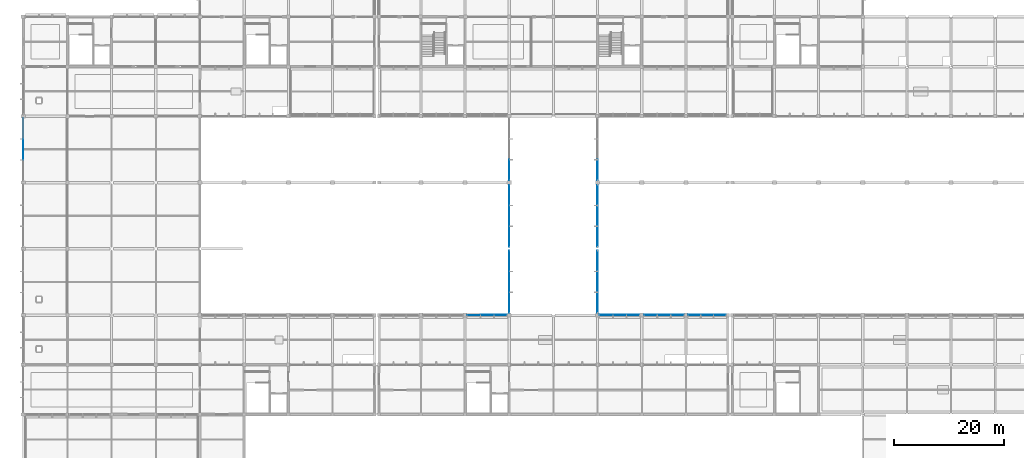
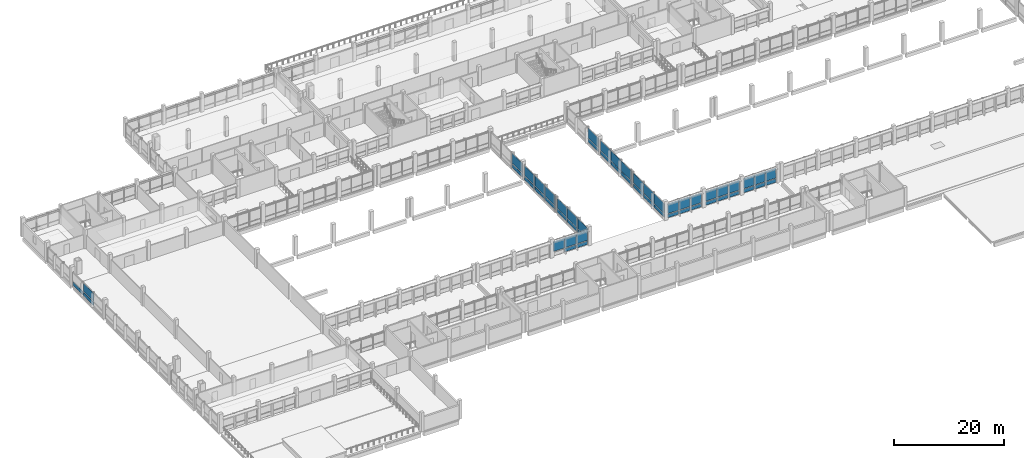
# One storey, part 46 of 70: 54 plates, 11 elements without a shape of their own.
"""IFC4 building model written with IfcOpenShell, lengths in metres."""

from ifc_helpers import new_model, si_unit, direction, frame, origin, origin_2d, place, context, subcontext, project, spatial, rectangle, extrude, material, layer, layer_set, type_object, element, aggregate, save


model = new_model("IFC4")

# Units and contexts
model_context = context("Model", 3, precision=1e-05, world=origin(), true_north=direction((0.0, 1.0)))
body_context = subcontext(model_context, "Body", "Model", "MODEL_VIEW")
ifc_project = project(units=[si_unit("LENGTHUNIT", "METRE"), si_unit("AREAUNIT", "SQUARE_METRE"), si_unit("VOLUMEUNIT", "CUBIC_METRE"), si_unit("PLANEANGLEUNIT", "RADIAN"), si_unit("MASSUNIT", "GRAM", prefix="KILO"), si_unit("THERMODYNAMICTEMPERATUREUNIT", "KELVIN"), si_unit("POWERUNIT", "WATT")], contexts=[model_context])

# Site, building, storey
site_placement = place(None, origin())
site = spatial("IfcSite", under=ifc_project, at=site_placement, CompositionType="ELEMENT")
building_placement = place(site_placement, origin())
building = spatial("IfcBuilding", under=site, at=building_placement, Name="Kronsvod Quay Wholesale Market", CompositionType="ELEMENT")
storey_placement = place(building_placement, frame((0.0, 0.0, 9.0)))
storey = spatial("IfcBuildingStorey", under=building, at=storey_placement, Name="L02", CompositionType="ELEMENT", Elevation=9.0)

# Curtain wall, plates
ifc_material_1 = material(Name="Thermally broken aluminium and triple low-E glazing", Category="aluminium")
curtain_wall_type_1 = type_object("IfcCurtainWallType", Name="CW_Clerestory80x32", PredefinedType="NOTDEFINED", material=ifc_material_1)
curtain_wall_1_placement = place(storey_placement, origin())
curtain_wall_1 = element("IfcCurtainWall", 1, at=curtain_wall_1_placement, inside=storey, type_object=curtain_wall_type_1, Name="CWGX-L02-1200-540", PredefinedType="NOTDEFINED")
ifc_material_2 = material(Name="Insulated aluminium spandrel panel", Category="aluminium")
ifc_layer_1 = layer(ifc_material_2, 0.048095703125)
ifc_layer_set_1 = layer_set([ifc_layer_1], Name="Insulated aluminium spandrel panel")
plate_type_1 = type_object("IfcPlateType", Name="CWPanel_SP2223x820", PredefinedType="CURTAIN_PANEL", material=ifc_layer_set_1)
plate_1_placement = place(storey_placement, frame((121.521240234375, 54.0, 0.1201171875), z_axis=(0.0, 0.0, 1.0), x_axis=(1.0, 0.0, 0.0)))
plate_1 = element("IfcPlate", 2, at=plate_1_placement, type_object=plate_type_1, Name="CWGX-L02-1200-540-PS1", PredefinedType="CURTAIN_PANEL", context=body_context, shape_type="SweptSolid", body=[
    extrude(rectangle(XDim=2.222900390625, YDim=0.048095703125, at=origin_2d()), origin(), (0.0, 0.0, 1.0), 0.820068359375),
])
plate_2_placement = place(storey_placement, frame((126.128662109375, 54.0, 0.1201171875), z_axis=(0.0, 0.0, 1.0), x_axis=(1.0, 0.0, 0.0)))
plate_2 = element("IfcPlate", 3, at=plate_2_placement, type_object=plate_type_1, Name="CWGX-L02-1200-540-PS3", PredefinedType="CURTAIN_PANEL", context=body_context, shape_type="SweptSolid", body=[
    extrude(rectangle(XDim=2.222900390625, YDim=0.048095703125, at=origin_2d()), origin(), (0.0, 0.0, 1.0), 0.820068359375),
])
ifc_material_3 = material(Name="Insulated aluminium spandrel panel", Category="aluminium")
ifc_layer_2 = layer(ifc_material_3, 0.048095703125)
ifc_layer_set_2 = layer_set([ifc_layer_2], Name="Insulated aluminium spandrel panel")
plate_type_2 = type_object("IfcPlateType", Name="CWPanel_SP2255x820", PredefinedType="CURTAIN_PANEL", material=ifc_layer_set_2)
plate_3_placement = place(storey_placement, frame((123.824951171875, 54.0, 0.1201171875), z_axis=(0.0, 0.0, 1.0), x_axis=(1.0, 0.0, 0.0)))
plate_3 = element("IfcPlate", 4, at=plate_3_placement, type_object=plate_type_2, Name="CWGX-L02-1200-540-PS2", PredefinedType="CURTAIN_PANEL", context=body_context, shape_type="SweptSolid", body=[
    extrude(rectangle(XDim=2.2548828125, YDim=0.048095703125, at=origin_2d()), origin(), (0.0, 0.0, 1.0), 0.820068359375),
])

# Curtain wall, plate
curtain_wall_2_placement = place(storey_placement, origin())
curtain_wall_2 = element("IfcCurtainWall", 5, at=curtain_wall_2_placement, inside=storey, type_object=curtain_wall_type_1, Name="CWGX-L02-800-540", PredefinedType="NOTDEFINED")
ifc_material_4 = material(Name="Insulated aluminium spandrel panel", Category="aluminium")
ifc_layer_3 = layer(ifc_material_4, 0.048095703125)
ifc_layer_set_3 = layer_set([ifc_layer_3], Name="Insulated aluminium spandrel panel")
plate_type_3 = type_object("IfcPlateType", Name="CWPanel_SP2324x775", PredefinedType="CURTAIN_PANEL", material=ifc_layer_set_3)
plate_4_placement = place(storey_placement, frame((86.41796875, 54.0, 0.150146484375), z_axis=(0.0, 0.0, 1.0), x_axis=(1.0, 0.0, 0.0)))
plate_4 = element("IfcPlate", 6, at=plate_4_placement, type_object=plate_type_3, Name="CWGX-L02-800-540-PS3", PredefinedType="CURTAIN_PANEL", context=body_context, shape_type="SweptSolid", body=[
    extrude(rectangle(XDim=2.323974609375, YDim=0.048095703125, at=origin_2d()), origin(), (0.0, 0.0, 1.0), 0.77490234375),
])

# Curtain wall, plates
curtain_wall_3_placement = place(storey_placement, origin())
curtain_wall_3 = element("IfcCurtainWall", 7, at=curtain_wall_3_placement, inside=storey, type_object=curtain_wall_type_1, Name="CWGX-L02-1040-540", PredefinedType="NOTDEFINED")
plate_5_placement = place(storey_placement, frame((105.58203125, 54.0, 0.150146484375), z_axis=(0.0, 0.0, 1.0), x_axis=(1.0, 0.0, 0.0)))
plate_5 = element("IfcPlate", 8, at=plate_5_placement, type_object=plate_type_3, Name="CWGX-L02-1040-540-PS1", PredefinedType="CURTAIN_PANEL", context=body_context, shape_type="SweptSolid", body=[
    extrude(rectangle(XDim=2.323974609375, YDim=0.048095703125, at=origin_2d()), origin(), (0.0, 0.0, 1.0), 0.77490234375),
])
plate_6_placement = place(storey_placement, frame((110.41796875, 54.0, 0.150146484375), z_axis=(0.0, 0.0, 1.0), x_axis=(1.0, 0.0, 0.0)))
plate_6 = element("IfcPlate", 9, at=plate_6_placement, type_object=plate_type_3, Name="CWGX-L02-1040-540-PS3", PredefinedType="CURTAIN_PANEL", context=body_context, shape_type="SweptSolid", body=[
    extrude(rectangle(XDim=2.323974609375, YDim=0.048095703125, at=origin_2d()), origin(), (0.0, 0.0, 1.0), 0.77490234375),
])

curtain_wall_4_placement = place(storey_placement, origin())
curtain_wall_4 = element("IfcCurtainWall", 10, at=curtain_wall_4_placement, inside=storey, type_object=curtain_wall_type_1, Name="CWGX-L02-1120-540", PredefinedType="NOTDEFINED")
plate_7_placement = place(storey_placement, frame((113.58203125, 54.0, 0.150146484375), z_axis=(0.0, 0.0, 1.0), x_axis=(1.0, 0.0, 0.0)))
plate_7 = element("IfcPlate", 11, at=plate_7_placement, type_object=plate_type_3, Name="CWGX-L02-1120-540-PS1", PredefinedType="CURTAIN_PANEL", context=body_context, shape_type="SweptSolid", body=[
    extrude(rectangle(XDim=2.323974609375, YDim=0.048095703125, at=origin_2d()), origin(), (0.0, 0.0, 1.0), 0.77490234375),
])
plate_8_placement = place(storey_placement, frame((118.41796875, 54.0, 0.150146484375), z_axis=(0.0, 0.0, 1.0), x_axis=(1.0, 0.0, 0.0)))
plate_8 = element("IfcPlate", 12, at=plate_8_placement, type_object=plate_type_3, Name="CWGX-L02-1120-540-PS3", PredefinedType="CURTAIN_PANEL", context=body_context, shape_type="SweptSolid", body=[
    extrude(rectangle(XDim=2.323974609375, YDim=0.048095703125, at=origin_2d()), origin(), (0.0, 0.0, 1.0), 0.77490234375),
])

# Plate
ifc_material_5 = material(Name="Insulated aluminium spandrel panel", Category="aluminium")
ifc_layer_4 = layer(ifc_material_5, 0.048095703125)
ifc_layer_set_4 = layer_set([ifc_layer_4], Name="Insulated aluminium spandrel panel")
plate_type_4 = type_object("IfcPlateType", Name="CWPanel_SP2362x775", PredefinedType="CURTAIN_PANEL", material=ifc_layer_set_4)
plate_9_placement = place(storey_placement, frame((84.0, 54.0, 0.150146484375), z_axis=(0.0, 0.0, 1.0), x_axis=(1.0, 0.0, 0.0)))
plate_9 = element("IfcPlate", 13, at=plate_9_placement, type_object=plate_type_4, Name="CWGX-L02-800-540-PS2", PredefinedType="CURTAIN_PANEL", context=body_context, shape_type="SweptSolid", body=[
    extrude(rectangle(XDim=2.362060546875, YDim=0.048095703125, at=origin_2d()), origin(), (0.0, 0.0, 1.0), 0.77490234375),
])

plate_10_placement = place(storey_placement, frame((108.0, 54.0, 0.150146484375), z_axis=(0.0, 0.0, 1.0), x_axis=(1.0, 0.0, 0.0)))
plate_10 = element("IfcPlate", 14, at=plate_10_placement, type_object=plate_type_4, Name="CWGX-L02-1040-540-PS2", PredefinedType="CURTAIN_PANEL", context=body_context, shape_type="SweptSolid", body=[
    extrude(rectangle(XDim=2.362060546875, YDim=0.048095703125, at=origin_2d()), origin(), (0.0, 0.0, 1.0), 0.77490234375),
])

plate_11_placement = place(storey_placement, frame((116.0, 54.0, 0.150146484375), z_axis=(0.0, 0.0, 1.0), x_axis=(1.0, 0.0, 0.0)))
plate_11 = element("IfcPlate", 15, at=plate_11_placement, type_object=plate_type_4, Name="CWGX-L02-1120-540-PS2", PredefinedType="CURTAIN_PANEL", context=body_context, shape_type="SweptSolid", body=[
    extrude(rectangle(XDim=2.362060546875, YDim=0.048095703125, at=origin_2d()), origin(), (0.0, 0.0, 1.0), 0.77490234375),
])

# Curtain wall, plate
ifc_material_6 = material(Name="Thermally broken aluminium and triple low-E glazing", Category="aluminium")
curtain_wall_type_2 = type_object("IfcCurtainWallType", Name="CW_Court120x35", PredefinedType="NOTDEFINED", material=ifc_material_6)
curtain_wall_5_placement = place(storey_placement, origin())
curtain_wall_5 = element("IfcCurtainWall", 16, at=curtain_wall_5_placement, inside=storey, type_object=curtain_wall_type_2, Name="CWGY-L02-880-780", PredefinedType="NOTDEFINED")
ifc_material_7 = material(Name="Insulated aluminium spandrel panel", Category="aluminium")
ifc_layer_5 = layer(ifc_material_7, 0.048095703125)
ifc_layer_set_5 = layer_set([ifc_layer_5], Name="Insulated aluminium spandrel panel")
plate_type_5 = type_object("IfcPlateType", Name="CWPanel_SP3649x775", PredefinedType="CURTAIN_PANEL", material=ifc_layer_set_5)
plate_12_placement = place(storey_placement, frame((88.0, 80.26953125, 0.150146484375), z_axis=(0.0, 0.0, 1.0), x_axis=(0.0, 1.0, 0.0)))
plate_12 = element("IfcPlate", 17, at=plate_12_placement, type_object=plate_type_5, Name="CWGY-L02-880-780-PS1", PredefinedType="CURTAIN_PANEL", context=body_context, shape_type="SweptSolid", body=[
    extrude(rectangle(XDim=3.64892578125, YDim=0.048095703125, at=origin_2d()), origin(), (0.0, 0.0, 1.0), 0.77490234375),
])

curtain_wall_6_placement = place(storey_placement, origin())
curtain_wall_6 = element("IfcCurtainWall", 18, at=curtain_wall_6_placement, inside=storey, type_object=curtain_wall_type_2, Name="CWGY-L02-1040-780", PredefinedType="NOTDEFINED")
plate_13_placement = place(storey_placement, frame((104.0, 80.26953125, 0.150146484375), z_axis=(0.0, 0.0, 1.0), x_axis=(0.0, -1.0, 0.0)))
plate_13 = element("IfcPlate", 19, at=plate_13_placement, type_object=plate_type_5, Name="CWGY-L02-1040-780-PS3", PredefinedType="CURTAIN_PANEL", context=body_context, shape_type="SweptSolid", body=[
    extrude(rectangle(XDim=3.64892578125, YDim=0.048095703125, at=origin_2d()), origin(), (0.0, 0.0, 1.0), 0.77490234375),
])

# Curtain wall, plates
curtain_wall_7_placement = place(storey_placement, origin())
curtain_wall_7 = element("IfcCurtainWall", 20, at=curtain_wall_7_placement, inside=storey, type_object=curtain_wall_type_2, Name="CWGY-L02-880-660", PredefinedType="NOTDEFINED")
ifc_material_8 = material(Name="Insulated aluminium spandrel panel", Category="aluminium")
ifc_layer_6 = layer(ifc_material_8, 0.048095703125)
ifc_layer_set_6 = layer_set([ifc_layer_6], Name="Insulated aluminium spandrel panel")
plate_type_6 = type_object("IfcPlateType", Name="CWPanel_SP3666x775", PredefinedType="CURTAIN_PANEL", material=ifc_layer_set_6)
plate_14_placement = place(storey_placement, frame((88.0, 68.202880859375, 0.150146484375), z_axis=(0.0, 0.0, 1.0), x_axis=(0.0, 1.0, 0.0)))
plate_14 = element("IfcPlate", 21, at=plate_14_placement, type_object=plate_type_6, Name="CWGY-L02-880-660-PS1", PredefinedType="CURTAIN_PANEL", context=body_context, shape_type="SweptSolid", body=[
    extrude(rectangle(XDim=3.666015625, YDim=0.048095703125, at=origin_2d()), origin(), (0.0, 0.0, 1.0), 0.77490234375),
])
plate_15_placement = place(storey_placement, frame((88.0, 75.72216796875, 0.150146484375), z_axis=(0.0, 0.0, 1.0), x_axis=(0.0, 1.0, 0.0)))
plate_15 = element("IfcPlate", 22, at=plate_15_placement, type_object=plate_type_6, Name="CWGY-L02-880-660-PS3", PredefinedType="CURTAIN_PANEL", context=body_context, shape_type="SweptSolid", body=[
    extrude(rectangle(XDim=3.666015625, YDim=0.048095703125, at=origin_2d()), origin(), (0.0, 0.0, 1.0), 0.77490234375),
])

curtain_wall_8_placement = place(storey_placement, origin())
curtain_wall_8 = element("IfcCurtainWall", 23, at=curtain_wall_8_placement, inside=storey, type_object=curtain_wall_type_2, Name="CWGY-L02-1040-660", PredefinedType="NOTDEFINED")
plate_16_placement = place(storey_placement, frame((104.0, 75.72216796875, 0.150146484375), z_axis=(0.0, 0.0, 1.0), x_axis=(0.0, -1.0, 0.0)))
plate_16 = element("IfcPlate", 24, at=plate_16_placement, type_object=plate_type_6, Name="CWGY-L02-1040-660-PS1", PredefinedType="CURTAIN_PANEL", context=body_context, shape_type="SweptSolid", body=[
    extrude(rectangle(XDim=3.666015625, YDim=0.048095703125, at=origin_2d()), origin(), (0.0, 0.0, 1.0), 0.77490234375),
])
plate_17_placement = place(storey_placement, frame((104.0, 68.202880859375, 0.150146484375), z_axis=(0.0, 0.0, 1.0), x_axis=(0.0, -1.0, 0.0)))
plate_17 = element("IfcPlate", 25, at=plate_17_placement, type_object=plate_type_6, Name="CWGY-L02-1040-660-PS3", PredefinedType="CURTAIN_PANEL", context=body_context, shape_type="SweptSolid", body=[
    extrude(rectangle(XDim=3.666015625, YDim=0.048095703125, at=origin_2d()), origin(), (0.0, 0.0, 1.0), 0.77490234375),
])

curtain_wall_9_placement = place(storey_placement, origin())
curtain_wall_9 = element("IfcCurtainWall", 26, at=curtain_wall_9_placement, inside=storey, type_object=curtain_wall_type_2, Name="CWGY-L02-880-540", PredefinedType="NOTDEFINED")
ifc_material_9 = material(Name="Insulated aluminium spandrel panel", Category="aluminium")
ifc_layer_7 = layer(ifc_material_9, 0.048095703125)
ifc_layer_set_7 = layer_set([ifc_layer_7], Name="Insulated aluminium spandrel panel")
plate_type_7 = type_object("IfcPlateType", Name="CWPanel_SP3674x775", PredefinedType="CURTAIN_PANEL", material=ifc_layer_set_7)
plate_18_placement = place(storey_placement, frame((88.0, 56.257080078125, 0.150146484375), z_axis=(0.0, 0.0, 1.0), x_axis=(0.0, 1.0, 0.0)))
plate_18 = element("IfcPlate", 27, at=plate_18_placement, type_object=plate_type_7, Name="CWGY-L02-880-540-PS1", PredefinedType="CURTAIN_PANEL", context=body_context, shape_type="SweptSolid", body=[
    extrude(rectangle(XDim=3.674072265625, YDim=0.048095703125, at=origin_2d()), origin(), (0.0, 0.0, 1.0), 0.77490234375),
])
plate_19_placement = place(storey_placement, frame((88.0, 63.79296875, 0.150146484375), z_axis=(0.0, 0.0, 1.0), x_axis=(0.0, 1.0, 0.0)))
plate_19 = element("IfcPlate", 28, at=plate_19_placement, type_object=plate_type_7, Name="CWGY-L02-880-540-PS3", PredefinedType="CURTAIN_PANEL", context=body_context, shape_type="SweptSolid", body=[
    extrude(rectangle(XDim=3.674072265625, YDim=0.048095703125, at=origin_2d()), origin(), (0.0, 0.0, 1.0), 0.77490234375),
])

curtain_wall_10_placement = place(storey_placement, origin())
curtain_wall_10 = element("IfcCurtainWall", 29, at=curtain_wall_10_placement, inside=storey, type_object=curtain_wall_type_2, Name="CWGY-L02-1040-540", PredefinedType="NOTDEFINED")
plate_20_placement = place(storey_placement, frame((104.0, 63.79296875, 0.150146484375), z_axis=(0.0, 0.0, 1.0), x_axis=(0.0, -1.0, 0.0)))
plate_20 = element("IfcPlate", 30, at=plate_20_placement, type_object=plate_type_7, Name="CWGY-L02-1040-540-PS1", PredefinedType="CURTAIN_PANEL", context=body_context, shape_type="SweptSolid", body=[
    extrude(rectangle(XDim=3.674072265625, YDim=0.048095703125, at=origin_2d()), origin(), (0.0, 0.0, 1.0), 0.77490234375),
])
plate_21_placement = place(storey_placement, frame((104.0, 56.257080078125, 0.150146484375), z_axis=(0.0, 0.0, 1.0), x_axis=(0.0, -1.0, 0.0)))
plate_21 = element("IfcPlate", 31, at=plate_21_placement, type_object=plate_type_7, Name="CWGY-L02-1040-540-PS3", PredefinedType="CURTAIN_PANEL", context=body_context, shape_type="SweptSolid", body=[
    extrude(rectangle(XDim=3.674072265625, YDim=0.048095703125, at=origin_2d()), origin(), (0.0, 0.0, 1.0), 0.77490234375),
])

# Curtain wall, plate
ifc_material_10 = material(Name="Thermally broken aluminium and triple low-E glazing", Category="aluminium")
curtain_wall_type_3 = type_object("IfcCurtainWallType", Name="CW_WestLab90x37", PredefinedType="NOTDEFINED", material=ifc_material_10)
curtain_wall_11_placement = place(storey_placement, origin())
curtain_wall_11 = element("IfcCurtainWall", 32, at=curtain_wall_11_placement, inside=storey, type_object=curtain_wall_type_3, Name="CWGY-L02-0-780", PredefinedType="NOTDEFINED")
ifc_material_11 = material(Name="Insulated aluminium spandrel panel", Category="aluminium")
ifc_layer_8 = layer(ifc_material_11, 0.048095703125)
ifc_layer_set_8 = layer_set([ifc_layer_8], Name="Insulated aluminium spandrel panel")
plate_type_8 = type_object("IfcPlateType", Name="CWPanel_SP3691x775", PredefinedType="CURTAIN_PANEL", material=ifc_layer_set_8)
plate_22_placement = place(storey_placement, frame((0.0, 87.78466796875, 0.150146484375), z_axis=(0.0, 0.0, 1.0), x_axis=(0.0, -1.0, 0.0)))
plate_22 = element("IfcPlate", 33, at=plate_22_placement, type_object=plate_type_8, Name="CWGY-L02-0-780-PS1", PredefinedType="CURTAIN_PANEL", context=body_context, shape_type="SweptSolid", body=[
    extrude(rectangle(XDim=3.69091796875, YDim=0.048095703125, at=origin_2d()), origin(), (0.0, 0.0, 1.0), 0.77490234375),
])

# Plate
ifc_material_12 = material(Name="Insulated aluminium spandrel panel", Category="aluminium")
ifc_layer_9 = layer(ifc_material_12, 0.048095703125)
ifc_layer_set_9 = layer_set([ifc_layer_9], Name="Insulated aluminium spandrel panel")
plate_type_9 = type_object("IfcPlateType", Name="CWPanel_SP3703x775", PredefinedType="CURTAIN_PANEL", material=ifc_layer_set_9)
plate_23_placement = place(storey_placement, frame((88.0, 71.96240234375, 0.150146484375), z_axis=(0.0, 0.0, 1.0), x_axis=(0.0, 1.0, 0.0)))
plate_23 = element("IfcPlate", 34, at=plate_23_placement, type_object=plate_type_9, Name="CWGY-L02-880-660-PS2", PredefinedType="CURTAIN_PANEL", context=body_context, shape_type="SweptSolid", body=[
    extrude(rectangle(XDim=3.702880859375, YDim=0.048095703125, at=origin_2d()), origin(), (0.0, 0.0, 1.0), 0.77490234375),
])

plate_24_placement = place(storey_placement, frame((104.0, 71.96240234375, 0.150146484375), z_axis=(0.0, 0.0, 1.0), x_axis=(0.0, -1.0, 0.0)))
plate_24 = element("IfcPlate", 35, at=plate_24_placement, type_object=plate_type_9, Name="CWGY-L02-1040-660-PS2", PredefinedType="CURTAIN_PANEL", context=body_context, shape_type="SweptSolid", body=[
    extrude(rectangle(XDim=3.702880859375, YDim=0.048095703125, at=origin_2d()), origin(), (0.0, 0.0, 1.0), 0.77490234375),
])

ifc_material_13 = material(Name="Insulated aluminium spandrel panel", Category="aluminium")
ifc_layer_10 = layer(ifc_material_13, 0.048095703125)
ifc_layer_set_10 = layer_set([ifc_layer_10], Name="Insulated aluminium spandrel panel")
plate_type_10 = type_object("IfcPlateType", Name="CWPanel_SP3712x775", PredefinedType="CURTAIN_PANEL", material=ifc_layer_set_10)
plate_25_placement = place(storey_placement, frame((88.0, 60.02490234375, 0.150146484375), z_axis=(0.0, 0.0, 1.0), x_axis=(0.0, 1.0, 0.0)))
plate_25 = element("IfcPlate", 36, at=plate_25_placement, type_object=plate_type_10, Name="CWGY-L02-880-540-PS2", PredefinedType="CURTAIN_PANEL", context=body_context, shape_type="SweptSolid", body=[
    extrude(rectangle(XDim=3.7119140625, YDim=0.048095703125, at=origin_2d()), origin(), (0.0, 0.0, 1.0), 0.77490234375),
])

plate_26_placement = place(storey_placement, frame((104.0, 60.02490234375, 0.150146484375), z_axis=(0.0, 0.0, 1.0), x_axis=(0.0, -1.0, 0.0)))
plate_26 = element("IfcPlate", 37, at=plate_26_placement, type_object=plate_type_10, Name="CWGY-L02-1040-540-PS2", PredefinedType="CURTAIN_PANEL", context=body_context, shape_type="SweptSolid", body=[
    extrude(rectangle(XDim=3.7119140625, YDim=0.048095703125, at=origin_2d()), origin(), (0.0, 0.0, 1.0), 0.77490234375),
])

ifc_material_14 = material(Name="Insulated aluminium spandrel panel", Category="aluminium")
ifc_layer_11 = layer(ifc_material_14, 0.048095703125)
ifc_layer_set_11 = layer_set([ifc_layer_11], Name="Insulated aluminium spandrel panel")
plate_type_11 = type_object("IfcPlateType", Name="CWPanel_SP3728x775", PredefinedType="CURTAIN_PANEL", material=ifc_layer_set_11)
plate_27_placement = place(storey_placement, frame((0.0, 84.0, 0.150146484375), z_axis=(0.0, 0.0, 1.0), x_axis=(0.0, -1.0, 0.0)))
plate_27 = element("IfcPlate", 38, at=plate_27_placement, type_object=plate_type_11, Name="CWGY-L02-0-780-PS2", PredefinedType="CURTAIN_PANEL", context=body_context, shape_type="SweptSolid", body=[
    extrude(rectangle(XDim=3.72802734375, YDim=0.048095703125, at=origin_2d()), origin(), (0.0, 0.0, 1.0), 0.77490234375),
])

ifc_material_15 = material(Name="Triple low-E insulated glazing", Category="glass")
ifc_layer_12 = layer(ifc_material_15, 0.0439453125)
ifc_layer_set_12 = layer_set([ifc_layer_12], Name="Triple low-E insulated glazing")
plate_type_12 = type_object("IfcPlateType", Name="CWPanel_VS2223x2240", PredefinedType="CURTAIN_PANEL", material=ifc_layer_set_12)
plate_28_placement = place(storey_placement, frame((121.521240234375, 54.0, 1.06005859375), z_axis=(0.0, 0.0, 1.0), x_axis=(1.0, 0.0, 0.0)))
plate_28 = element("IfcPlate", 39, at=plate_28_placement, type_object=plate_type_12, Name="CWGX-L02-1200-540-PV1", PredefinedType="CURTAIN_PANEL", context=body_context, shape_type="SweptSolid", body=[
    extrude(rectangle(XDim=2.222900390625, YDim=0.0439453125, at=origin_2d()), origin(), (0.0, 0.0, 1.0), 2.239990234375),
])

plate_29_placement = place(storey_placement, frame((126.128662109375, 54.0, 1.06005859375), z_axis=(0.0, 0.0, 1.0), x_axis=(1.0, 0.0, 0.0)))
plate_29 = element("IfcPlate", 40, at=plate_29_placement, type_object=plate_type_12, Name="CWGX-L02-1200-540-PV3", PredefinedType="CURTAIN_PANEL", context=body_context, shape_type="SweptSolid", body=[
    extrude(rectangle(XDim=2.222900390625, YDim=0.0439453125, at=origin_2d()), origin(), (0.0, 0.0, 1.0), 2.239990234375),
])

ifc_material_16 = material(Name="Triple low-E insulated glazing", Category="glass")
ifc_layer_13 = layer(ifc_material_16, 0.0439453125)
ifc_layer_set_13 = layer_set([ifc_layer_13], Name="Triple low-E insulated glazing")
plate_type_13 = type_object("IfcPlateType", Name="CWPanel_VS2255x2240", PredefinedType="CURTAIN_PANEL", material=ifc_layer_set_13)
plate_30_placement = place(storey_placement, frame((123.824951171875, 54.0, 1.06005859375), z_axis=(0.0, 0.0, 1.0), x_axis=(1.0, 0.0, 0.0)))
plate_30 = element("IfcPlate", 41, at=plate_30_placement, type_object=plate_type_13, Name="CWGX-L02-1200-540-PV2", PredefinedType="CURTAIN_PANEL", context=body_context, shape_type="SweptSolid", body=[
    extrude(rectangle(XDim=2.2548828125, YDim=0.0439453125, at=origin_2d()), origin(), (0.0, 0.0, 1.0), 2.239990234375),
])

aggregate(curtain_wall_1, [plate_1, plate_28, plate_3, plate_30, plate_2, plate_29])

ifc_material_17 = material(Name="Triple low-E insulated glazing", Category="glass")
ifc_layer_14 = layer(ifc_material_17, 0.0439453125)
ifc_layer_set_14 = layer_set([ifc_layer_14], Name="Triple low-E insulated glazing")
plate_type_14 = type_object("IfcPlateType", Name="CWPanel_VS2324x2195", PredefinedType="CURTAIN_PANEL", material=ifc_layer_set_14)
plate_31_placement = place(storey_placement, frame((81.58203125, 54.0, 1.0751953125), z_axis=(0.0, 0.0, 1.0), x_axis=(1.0, 0.0, 0.0)))
plate_31 = element("IfcPlate", 42, at=plate_31_placement, type_object=plate_type_14, Name="CWGX-L02-800-540-PV1", PredefinedType="CURTAIN_PANEL", context=body_context, shape_type="SweptSolid", body=[
    extrude(rectangle(XDim=2.323974609375, YDim=0.0439453125, at=origin_2d()), origin(), (0.0, 0.0, 1.0), 2.195068359375),
])

plate_32_placement = place(storey_placement, frame((86.41796875, 54.0, 1.0751953125), z_axis=(0.0, 0.0, 1.0), x_axis=(1.0, 0.0, 0.0)))
plate_32 = element("IfcPlate", 43, at=plate_32_placement, type_object=plate_type_14, Name="CWGX-L02-800-540-PV3", PredefinedType="CURTAIN_PANEL", context=body_context, shape_type="SweptSolid", body=[
    extrude(rectangle(XDim=2.323974609375, YDim=0.0439453125, at=origin_2d()), origin(), (0.0, 0.0, 1.0), 2.195068359375),
])

plate_33_placement = place(storey_placement, frame((105.58203125, 54.0, 1.0751953125), z_axis=(0.0, 0.0, 1.0), x_axis=(1.0, 0.0, 0.0)))
plate_33 = element("IfcPlate", 44, at=plate_33_placement, type_object=plate_type_14, Name="CWGX-L02-1040-540-PV1", PredefinedType="CURTAIN_PANEL", context=body_context, shape_type="SweptSolid", body=[
    extrude(rectangle(XDim=2.323974609375, YDim=0.0439453125, at=origin_2d()), origin(), (0.0, 0.0, 1.0), 2.195068359375),
])

plate_34_placement = place(storey_placement, frame((110.41796875, 54.0, 1.0751953125), z_axis=(0.0, 0.0, 1.0), x_axis=(1.0, 0.0, 0.0)))
plate_34 = element("IfcPlate", 45, at=plate_34_placement, type_object=plate_type_14, Name="CWGX-L02-1040-540-PV3", PredefinedType="CURTAIN_PANEL", context=body_context, shape_type="SweptSolid", body=[
    extrude(rectangle(XDim=2.323974609375, YDim=0.0439453125, at=origin_2d()), origin(), (0.0, 0.0, 1.0), 2.195068359375),
])

plate_35_placement = place(storey_placement, frame((113.58203125, 54.0, 1.0751953125), z_axis=(0.0, 0.0, 1.0), x_axis=(1.0, 0.0, 0.0)))
plate_35 = element("IfcPlate", 46, at=plate_35_placement, type_object=plate_type_14, Name="CWGX-L02-1120-540-PV1", PredefinedType="CURTAIN_PANEL", context=body_context, shape_type="SweptSolid", body=[
    extrude(rectangle(XDim=2.323974609375, YDim=0.0439453125, at=origin_2d()), origin(), (0.0, 0.0, 1.0), 2.195068359375),
])

plate_36_placement = place(storey_placement, frame((118.41796875, 54.0, 1.0751953125), z_axis=(0.0, 0.0, 1.0), x_axis=(1.0, 0.0, 0.0)))
plate_36 = element("IfcPlate", 47, at=plate_36_placement, type_object=plate_type_14, Name="CWGX-L02-1120-540-PV3", PredefinedType="CURTAIN_PANEL", context=body_context, shape_type="SweptSolid", body=[
    extrude(rectangle(XDim=2.323974609375, YDim=0.0439453125, at=origin_2d()), origin(), (0.0, 0.0, 1.0), 2.195068359375),
])

ifc_material_18 = material(Name="Triple low-E insulated glazing", Category="glass")
ifc_layer_15 = layer(ifc_material_18, 0.0439453125)
ifc_layer_set_15 = layer_set([ifc_layer_15], Name="Triple low-E insulated glazing")
plate_type_15 = type_object("IfcPlateType", Name="CWPanel_VS2362x2195", PredefinedType="CURTAIN_PANEL", material=ifc_layer_set_15)
plate_37_placement = place(storey_placement, frame((84.0, 54.0, 1.0751953125), z_axis=(0.0, 0.0, 1.0), x_axis=(1.0, 0.0, 0.0)))
plate_37 = element("IfcPlate", 48, at=plate_37_placement, type_object=plate_type_15, Name="CWGX-L02-800-540-PV2", PredefinedType="CURTAIN_PANEL", context=body_context, shape_type="SweptSolid", body=[
    extrude(rectangle(XDim=2.362060546875, YDim=0.0439453125, at=origin_2d()), origin(), (0.0, 0.0, 1.0), 2.195068359375),
])

aggregate(curtain_wall_2, [plate_31, plate_9, plate_37, plate_4, plate_32])

plate_38_placement = place(storey_placement, frame((108.0, 54.0, 1.0751953125), z_axis=(0.0, 0.0, 1.0), x_axis=(1.0, 0.0, 0.0)))
plate_38 = element("IfcPlate", 49, at=plate_38_placement, type_object=plate_type_15, Name="CWGX-L02-1040-540-PV2", PredefinedType="CURTAIN_PANEL", context=body_context, shape_type="SweptSolid", body=[
    extrude(rectangle(XDim=2.362060546875, YDim=0.0439453125, at=origin_2d()), origin(), (0.0, 0.0, 1.0), 2.195068359375),
])

aggregate(curtain_wall_3, [plate_5, plate_33, plate_10, plate_38, plate_6, plate_34])

plate_39_placement = place(storey_placement, frame((116.0, 54.0, 1.0751953125), z_axis=(0.0, 0.0, 1.0), x_axis=(1.0, 0.0, 0.0)))
plate_39 = element("IfcPlate", 50, at=plate_39_placement, type_object=plate_type_15, Name="CWGX-L02-1120-540-PV2", PredefinedType="CURTAIN_PANEL", context=body_context, shape_type="SweptSolid", body=[
    extrude(rectangle(XDim=2.362060546875, YDim=0.0439453125, at=origin_2d()), origin(), (0.0, 0.0, 1.0), 2.195068359375),
])

aggregate(curtain_wall_4, [plate_7, plate_35, plate_11, plate_39, plate_8, plate_36])

ifc_material_19 = material(Name="Triple low-E insulated glazing", Category="glass")
ifc_layer_16 = layer(ifc_material_19, 0.0439453125)
ifc_layer_set_16 = layer_set([ifc_layer_16], Name="Triple low-E insulated glazing")
plate_type_16 = type_object("IfcPlateType", Name="CWPanel_VS3649x2195", PredefinedType="CURTAIN_PANEL", material=ifc_layer_set_16)
plate_40_placement = place(storey_placement, frame((88.0, 80.26953125, 1.0751953125), z_axis=(0.0, 0.0, 1.0), x_axis=(0.0, 1.0, 0.0)))
plate_40 = element("IfcPlate", 51, at=plate_40_placement, type_object=plate_type_16, Name="CWGY-L02-880-780-PV1", PredefinedType="CURTAIN_PANEL", context=body_context, shape_type="SweptSolid", body=[
    extrude(rectangle(XDim=3.64892578125, YDim=0.0439453125, at=origin_2d()), origin(), (0.0, 0.0, 1.0), 2.195068359375),
])

aggregate(curtain_wall_5, [plate_12, plate_40])

plate_41_placement = place(storey_placement, frame((104.0, 80.26953125, 1.0751953125), z_axis=(0.0, 0.0, 1.0), x_axis=(0.0, -1.0, 0.0)))
plate_41 = element("IfcPlate", 52, at=plate_41_placement, type_object=plate_type_16, Name="CWGY-L02-1040-780-PV3", PredefinedType="CURTAIN_PANEL", context=body_context, shape_type="SweptSolid", body=[
    extrude(rectangle(XDim=3.64892578125, YDim=0.0439453125, at=origin_2d()), origin(), (0.0, 0.0, 1.0), 2.195068359375),
])

aggregate(curtain_wall_6, [plate_13, plate_41])

ifc_material_20 = material(Name="Triple low-E insulated glazing", Category="glass")
ifc_layer_17 = layer(ifc_material_20, 0.0439453125)
ifc_layer_set_17 = layer_set([ifc_layer_17], Name="Triple low-E insulated glazing")
plate_type_17 = type_object("IfcPlateType", Name="CWPanel_VS3666x2195", PredefinedType="CURTAIN_PANEL", material=ifc_layer_set_17)
plate_42_placement = place(storey_placement, frame((88.0, 68.202880859375, 1.0751953125), z_axis=(0.0, 0.0, 1.0), x_axis=(0.0, 1.0, 0.0)))
plate_42 = element("IfcPlate", 53, at=plate_42_placement, type_object=plate_type_17, Name="CWGY-L02-880-660-PV1", PredefinedType="CURTAIN_PANEL", context=body_context, shape_type="SweptSolid", body=[
    extrude(rectangle(XDim=3.666015625, YDim=0.0439453125, at=origin_2d()), origin(), (0.0, 0.0, 1.0), 2.195068359375),
])

plate_43_placement = place(storey_placement, frame((88.0, 75.72216796875, 1.0751953125), z_axis=(0.0, 0.0, 1.0), x_axis=(0.0, 1.0, 0.0)))
plate_43 = element("IfcPlate", 54, at=plate_43_placement, type_object=plate_type_17, Name="CWGY-L02-880-660-PV3", PredefinedType="CURTAIN_PANEL", context=body_context, shape_type="SweptSolid", body=[
    extrude(rectangle(XDim=3.666015625, YDim=0.0439453125, at=origin_2d()), origin(), (0.0, 0.0, 1.0), 2.195068359375),
])

plate_44_placement = place(storey_placement, frame((104.0, 75.72216796875, 1.0751953125), z_axis=(0.0, 0.0, 1.0), x_axis=(0.0, -1.0, 0.0)))
plate_44 = element("IfcPlate", 55, at=plate_44_placement, type_object=plate_type_17, Name="CWGY-L02-1040-660-PV1", PredefinedType="CURTAIN_PANEL", context=body_context, shape_type="SweptSolid", body=[
    extrude(rectangle(XDim=3.666015625, YDim=0.0439453125, at=origin_2d()), origin(), (0.0, 0.0, 1.0), 2.195068359375),
])

plate_45_placement = place(storey_placement, frame((104.0, 68.202880859375, 1.0751953125), z_axis=(0.0, 0.0, 1.0), x_axis=(0.0, -1.0, 0.0)))
plate_45 = element("IfcPlate", 56, at=plate_45_placement, type_object=plate_type_17, Name="CWGY-L02-1040-660-PV3", PredefinedType="CURTAIN_PANEL", context=body_context, shape_type="SweptSolid", body=[
    extrude(rectangle(XDim=3.666015625, YDim=0.0439453125, at=origin_2d()), origin(), (0.0, 0.0, 1.0), 2.195068359375),
])

ifc_material_21 = material(Name="Triple low-E insulated glazing", Category="glass")
ifc_layer_18 = layer(ifc_material_21, 0.0439453125)
ifc_layer_set_18 = layer_set([ifc_layer_18], Name="Triple low-E insulated glazing")
plate_type_18 = type_object("IfcPlateType", Name="CWPanel_VS3674x2195", PredefinedType="CURTAIN_PANEL", material=ifc_layer_set_18)
plate_46_placement = place(storey_placement, frame((88.0, 56.257080078125, 1.0751953125), z_axis=(0.0, 0.0, 1.0), x_axis=(0.0, 1.0, 0.0)))
plate_46 = element("IfcPlate", 57, at=plate_46_placement, type_object=plate_type_18, Name="CWGY-L02-880-540-PV1", PredefinedType="CURTAIN_PANEL", context=body_context, shape_type="SweptSolid", body=[
    extrude(rectangle(XDim=3.674072265625, YDim=0.0439453125, at=origin_2d()), origin(), (0.0, 0.0, 1.0), 2.195068359375),
])

plate_47_placement = place(storey_placement, frame((88.0, 63.79296875, 1.0751953125), z_axis=(0.0, 0.0, 1.0), x_axis=(0.0, 1.0, 0.0)))
plate_47 = element("IfcPlate", 58, at=plate_47_placement, type_object=plate_type_18, Name="CWGY-L02-880-540-PV3", PredefinedType="CURTAIN_PANEL", context=body_context, shape_type="SweptSolid", body=[
    extrude(rectangle(XDim=3.674072265625, YDim=0.0439453125, at=origin_2d()), origin(), (0.0, 0.0, 1.0), 2.195068359375),
])

plate_48_placement = place(storey_placement, frame((104.0, 63.79296875, 1.0751953125), z_axis=(0.0, 0.0, 1.0), x_axis=(0.0, -1.0, 0.0)))
plate_48 = element("IfcPlate", 59, at=plate_48_placement, type_object=plate_type_18, Name="CWGY-L02-1040-540-PV1", PredefinedType="CURTAIN_PANEL", context=body_context, shape_type="SweptSolid", body=[
    extrude(rectangle(XDim=3.674072265625, YDim=0.0439453125, at=origin_2d()), origin(), (0.0, 0.0, 1.0), 2.195068359375),
])

plate_49_placement = place(storey_placement, frame((104.0, 56.257080078125, 1.0751953125), z_axis=(0.0, 0.0, 1.0), x_axis=(0.0, -1.0, 0.0)))
plate_49 = element("IfcPlate", 60, at=plate_49_placement, type_object=plate_type_18, Name="CWGY-L02-1040-540-PV3", PredefinedType="CURTAIN_PANEL", context=body_context, shape_type="SweptSolid", body=[
    extrude(rectangle(XDim=3.674072265625, YDim=0.0439453125, at=origin_2d()), origin(), (0.0, 0.0, 1.0), 2.195068359375),
])

ifc_material_22 = material(Name="Triple low-E insulated glazing", Category="glass")
ifc_layer_19 = layer(ifc_material_22, 0.0439453125)
ifc_layer_set_19 = layer_set([ifc_layer_19], Name="Triple low-E insulated glazing")
plate_type_19 = type_object("IfcPlateType", Name="CWPanel_VS3703x2195", PredefinedType="CURTAIN_PANEL", material=ifc_layer_set_19)
plate_50_placement = place(storey_placement, frame((88.0, 71.96240234375, 1.0751953125), z_axis=(0.0, 0.0, 1.0), x_axis=(0.0, 1.0, 0.0)))
plate_50 = element("IfcPlate", 61, at=plate_50_placement, type_object=plate_type_19, Name="CWGY-L02-880-660-PV2", PredefinedType="CURTAIN_PANEL", context=body_context, shape_type="SweptSolid", body=[
    extrude(rectangle(XDim=3.702880859375, YDim=0.0439453125, at=origin_2d()), origin(), (0.0, 0.0, 1.0), 2.195068359375),
])

aggregate(curtain_wall_7, [plate_14, plate_42, plate_23, plate_50, plate_15, plate_43])

plate_51_placement = place(storey_placement, frame((104.0, 71.96240234375, 1.0751953125), z_axis=(0.0, 0.0, 1.0), x_axis=(0.0, -1.0, 0.0)))
plate_51 = element("IfcPlate", 62, at=plate_51_placement, type_object=plate_type_19, Name="CWGY-L02-1040-660-PV2", PredefinedType="CURTAIN_PANEL", context=body_context, shape_type="SweptSolid", body=[
    extrude(rectangle(XDim=3.702880859375, YDim=0.0439453125, at=origin_2d()), origin(), (0.0, 0.0, 1.0), 2.195068359375),
])

aggregate(curtain_wall_8, [plate_16, plate_44, plate_24, plate_51, plate_17, plate_45])

ifc_material_23 = material(Name="Triple low-E insulated glazing", Category="glass")
ifc_layer_20 = layer(ifc_material_23, 0.0439453125)
ifc_layer_set_20 = layer_set([ifc_layer_20], Name="Triple low-E insulated glazing")
plate_type_20 = type_object("IfcPlateType", Name="CWPanel_VS3712x2195", PredefinedType="CURTAIN_PANEL", material=ifc_layer_set_20)
plate_52_placement = place(storey_placement, frame((88.0, 60.02490234375, 1.0751953125), z_axis=(0.0, 0.0, 1.0), x_axis=(0.0, 1.0, 0.0)))
plate_52 = element("IfcPlate", 63, at=plate_52_placement, type_object=plate_type_20, Name="CWGY-L02-880-540-PV2", PredefinedType="CURTAIN_PANEL", context=body_context, shape_type="SweptSolid", body=[
    extrude(rectangle(XDim=3.7119140625, YDim=0.0439453125, at=origin_2d()), origin(), (0.0, 0.0, 1.0), 2.195068359375),
])

aggregate(curtain_wall_9, [plate_18, plate_46, plate_25, plate_52, plate_19, plate_47])

plate_53_placement = place(storey_placement, frame((104.0, 60.02490234375, 1.0751953125), z_axis=(0.0, 0.0, 1.0), x_axis=(0.0, -1.0, 0.0)))
plate_53 = element("IfcPlate", 64, at=plate_53_placement, type_object=plate_type_20, Name="CWGY-L02-1040-540-PV2", PredefinedType="CURTAIN_PANEL", context=body_context, shape_type="SweptSolid", body=[
    extrude(rectangle(XDim=3.7119140625, YDim=0.0439453125, at=origin_2d()), origin(), (0.0, 0.0, 1.0), 2.195068359375),
])

aggregate(curtain_wall_10, [plate_20, plate_48, plate_26, plate_53, plate_21, plate_49])

ifc_material_24 = material(Name="Triple low-E insulated glazing", Category="glass")
ifc_layer_21 = layer(ifc_material_24, 0.0439453125)
ifc_layer_set_21 = layer_set([ifc_layer_21], Name="Triple low-E insulated glazing")
plate_type_21 = type_object("IfcPlateType", Name="CWPanel_VS3728x1825", PredefinedType="CURTAIN_PANEL", material=ifc_layer_set_21)
plate_54_placement = place(storey_placement, frame((0.0, 84.0, 1.0751953125), z_axis=(0.0, 0.0, 1.0), x_axis=(0.0, -1.0, 0.0)))
plate_54 = element("IfcPlate", 65, at=plate_54_placement, type_object=plate_type_21, Name="CWGY-L02-0-780-PV2", PredefinedType="CURTAIN_PANEL", context=body_context, shape_type="SweptSolid", body=[
    extrude(rectangle(XDim=3.72802734375, YDim=0.0439453125, at=origin_2d()), origin(), (0.0, 0.0, 1.0), 1.824951171875),
])

aggregate(curtain_wall_11, [plate_22, plate_27, plate_54])

save(model, "model.ifc")
